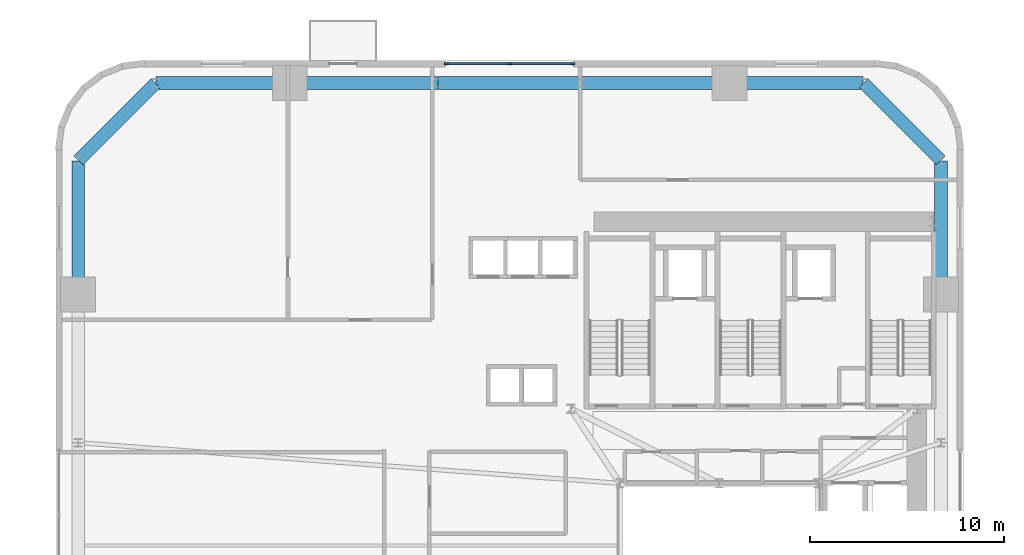
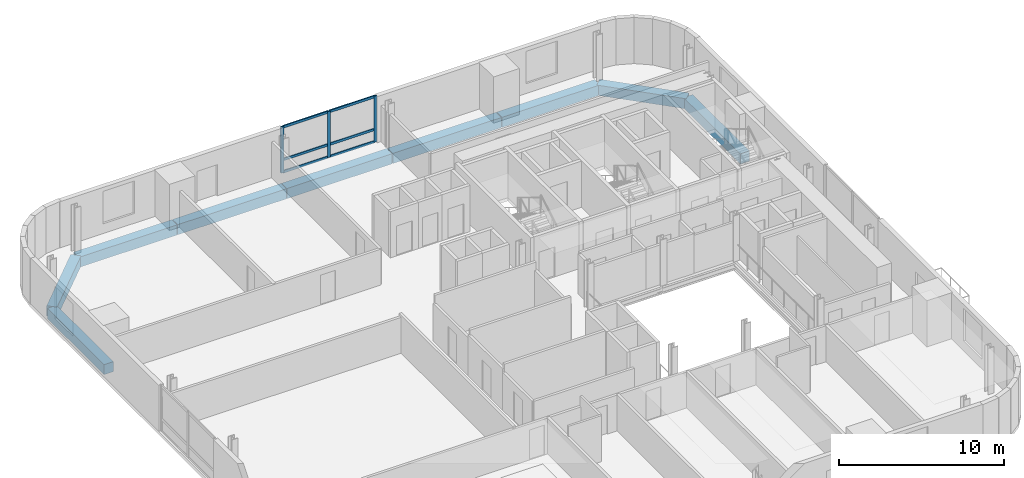
# One storey, part 4 of 13: 9 beams, 9 members, 1 element without a shape of its own.
"""IFC4 building model written with IfcOpenShell, lengths in metres."""

from ifc_helpers import new_model, si_unit, direction, frame, origin, origin_2d, place, context, subcontext, project, spatial, rectangle, extrude, source, transform, mapped, material, material_profile, profile_set, type_object, element, aggregate, save


model = new_model("IFC4")

# Units and contexts
model_context = context("Model", 3, precision=1e-05, world=origin(), true_north=direction((0.0, 1.0)))
body_context = subcontext(model_context, "Body", "Model", "MODEL_VIEW")
ifc_project = project(units=[si_unit("LENGTHUNIT", "METRE"), si_unit("AREAUNIT", "SQUARE_METRE"), si_unit("VOLUMEUNIT", "CUBIC_METRE"), si_unit("PLANEANGLEUNIT", "RADIAN"), si_unit("MASSUNIT", "GRAM", prefix="KILO")], contexts=[model_context])

# Site, building, storey
site_placement = place(None, origin())
site = spatial("IfcSite", under=ifc_project, at=site_placement, CompositionType="ELEMENT")
building_placement = place(site_placement, origin())
building = spatial("IfcBuilding", under=site, at=building_placement, Name="Vardaveli Station Tower", CompositionType="ELEMENT")
storey_placement = place(building_placement, frame((0.0, 0.0, 45.85009765625)))
storey = spatial("IfcBuildingStorey", under=building, at=storey_placement, Name="L11", CompositionType="ELEMENT", Elevation=45.85009765625)

# Beams
ifc_material_1 = material(Name="Precast concrete C45/55", Category="concrete")
ifc_material_profile_1 = material_profile(ifc_material_1, rectangle(XDim=0.64990234375, YDim=0.75, at=origin_2d()), Name="LPB 650x750")
ifc_profile_set_1 = profile_set([ifc_material_profile_1], Name="Precast concrete C45/55")
beam_type = type_object("IfcBeamType", Name="BM-LPB-750", PredefinedType="BEAM", material=ifc_profile_set_1)
shared_shape_1 = source(origin(), body_context, "Body", "SweptSolid", [
    extrude(rectangle(XDim=0.64990234375, YDim=0.75, at=origin_2d()), origin(), (0.0, 0.0, 1.0), 7.60009765625),
])
for number, where, z_axis, x_axis, name in (
    (1, (36.820068359375, 47.449951171875, -0.614990234375), (-1.0, 0.0, 0.0), (0.0, -1.0, 0.0), "RBM-L11-13"),
    (2, (21.780029296875, 47.449951171875, -0.614990234375), (-1.0, 0.0, 0.0), (0.0, -1.0, 0.0), "RBM-L11-15"),
):
    element("IfcBeam", number, at=place(storey_placement, frame(where, z_axis=z_axis, x_axis=x_axis)), inside=storey, type_object=beam_type, Name=name, PredefinedType="BEAM", context=body_context, shape_type="MappedRepresentation", body=[
        mapped(shared_shape_1, transform((0.0, 0.0, 0.0), scale=1.0)),
    ])
shared_shape_2 = source(origin(), body_context, "Body", "SweptSolid", [
    extrude(rectangle(XDim=0.64990234375, YDim=0.75, at=origin_2d()), origin(), (0.0, 0.0, 1.0), 7.35986328125),
])
beam_placement = place(storey_placement, frame((29.179931640625, 47.449951171875, -0.614990234375), z_axis=(-1.0, 0.0, 0.0), x_axis=(0.0, -1.0, 0.0)))
element("IfcBeam", 3, at=beam_placement, inside=storey, type_object=beam_type, Name="RBM-L11-14", PredefinedType="BEAM", context=body_context, shape_type="MappedRepresentation", body=[
    mapped(shared_shape_2, transform((0.0, 0.0, 0.0), scale=1.0)),
])
shared_shape_3 = source(origin(), body_context, "Body", "SweptSolid", [
    extrude(rectangle(XDim=0.64990234375, YDim=0.75, at=origin_2d()), origin(), (0.0, 0.0, 1.0), 6.869873046875),
])
for number, where, z_axis, x_axis, name in (
    (4, (47.75, 36.56005859375, -0.614990234375), (0.0, 1.0, 0.0), (-1.0, 0.0, 0.0), "RBM-L11-10"),
    (5, (43.72998046875, 47.449951171875, -0.614990234375), (-1.0, 0.0, 0.0), (0.0, -1.0, 0.0), "RBM-L11-12"),
    (6, (14.139892578125, 47.449951171875, -0.614990234375), (-1.0, 0.0, 0.0), (0.0, -1.0, 0.0), "RBM-L11-16"),
    (7, (3.25, 43.429931640625, -0.614990234375), (0.0, -1.0, 0.0), (1.0, 0.0, 0.0), "RBM-L11-18"),
):
    element("IfcBeam", number, at=place(storey_placement, frame(where, z_axis=z_axis, x_axis=x_axis)), inside=storey, type_object=beam_type, Name=name, PredefinedType="BEAM", context=body_context, shape_type="MappedRepresentation", body=[
        mapped(shared_shape_3, transform((0.0, 0.0, 0.0), scale=1.0)),
    ])
shared_shape_4 = source(origin(), body_context, "Body", "SweptSolid", [
    extrude(rectangle(XDim=0.64990234375, YDim=0.75, at=origin_2d()), origin(), (0.0, 0.0, 1.0), 5.61669921875),
])
for number, where, z_axis, x_axis, name in (
    (8, (47.73583984375, 43.464111328125, -0.614990234375), (-0.707106781187, 0.707106781187, 0.0), (-0.707106781187, -0.707106781187, 0.0), "RBM-L11-11"),
    (9, (7.23583984375, 47.435791015625, -0.614990234375), (-0.707106781187, -0.707106781187, 0.0), (0.707106781187, -0.707106781187, 0.0), "RBM-L11-17"),
):
    element("IfcBeam", number, at=place(storey_placement, frame(where, z_axis=z_axis, x_axis=x_axis)), inside=storey, type_object=beam_type, Name=name, PredefinedType="BEAM", context=body_context, shape_type="MappedRepresentation", body=[
        mapped(shared_shape_4, transform((0.0, 0.0, 0.0), scale=1.0)),
    ])

# Curtain wall, members
ifc_material_2 = material(Name="Travertine stone and solar-control glass", Category="masonry")
curtain_wall_type = type_object("IfcCurtainWallType", Name="CW-SYS-2", PredefinedType="NOTDEFINED", material=ifc_material_2)
curtain_wall_placement = place(storey_placement, origin())
curtain_wall = element("IfcCurtainWall", 10, at=curtain_wall_placement, inside=storey, type_object=curtain_wall_type, Name="CW-L11-N", PredefinedType="NOTDEFINED")
ifc_material_3 = material(Name="Anodised aluminium alloy 6063-T6", Category="aluminium")
ifc_material_profile_2 = material_profile(ifc_material_3, rectangle(XDim=0.0849609375, YDim=0.219970703125, at=origin_2d()), Name="CWM 85x220")
ifc_profile_set_2 = profile_set([ifc_material_profile_2], Name="Anodised aluminium alloy 6063-T6")
member_type_1 = type_object("IfcMemberType", Name="CW-SYS-2-MULL", PredefinedType="MULLION", material=ifc_profile_set_2)
shared_shape_5 = source(origin(), body_context, "Body", "SweptSolid", [
    extrude(rectangle(XDim=0.0849609375, YDim=0.219970703125, at=origin_2d()), origin(), (0.0, 0.0, 1.0), 3.409912109375),
])
member_1_placement = place(storey_placement, frame((28.757568359375, 48.43994140625, 0.0), z_axis=(0.0, 0.0, 1.0), x_axis=(0.0, -1.0, 0.0)))
member_1 = element("IfcMember", 11, at=member_1_placement, type_object=member_type_1, Name="CW-2 mullion 1", PredefinedType="MULLION", context=body_context, shape_type="MappedRepresentation", body=[
    mapped(shared_shape_5, transform((0.0, 0.0, 0.0), scale=1.0)),
])
member_2_placement = place(storey_placement, frame((25.5, 48.43994140625, 0.0), z_axis=(0.0, 0.0, 1.0), x_axis=(0.0, -1.0, 0.0)))
member_2 = element("IfcMember", 12, at=member_2_placement, type_object=member_type_1, Name="CW-2 mullion 2", PredefinedType="MULLION", context=body_context, shape_type="MappedRepresentation", body=[
    mapped(shared_shape_5, transform((0.0, 0.0, 0.0), scale=1.0)),
])
member_3_placement = place(storey_placement, frame((22.242431640625, 48.43994140625, 0.0), z_axis=(0.0, 0.0, 1.0), x_axis=(0.0, -1.0, 0.0)))
member_3 = element("IfcMember", 13, at=member_3_placement, type_object=member_type_1, Name="CW-2 mullion 3", PredefinedType="MULLION", context=body_context, shape_type="MappedRepresentation", body=[
    mapped(shared_shape_5, transform((0.0, 0.0, 0.0), scale=1.0)),
])
ifc_material_profile_3 = material_profile(ifc_material_3, rectangle(XDim=0.0849609375, YDim=0.179931640625, at=origin_2d()), Name="CWT 85x180")
ifc_profile_set_3 = profile_set([ifc_material_profile_3], Name="Anodised aluminium alloy 6063-T6")
member_type_2 = type_object("IfcMemberType", Name="CW-SYS-2-TRAN", PredefinedType="NOTDEFINED", material=ifc_profile_set_3)
shared_shape_6 = source(origin(), body_context, "Body", "SweptSolid", [
    extrude(rectangle(XDim=0.0849609375, YDim=0.179931640625, at=origin_2d()), origin(), (0.0, 0.0, 1.0), 3.172607421875),
])
member_4_placement = place(storey_placement, frame((28.715087890625, 48.43994140625, 0.04248046875), z_axis=(-1.0, 0.0, 0.0), x_axis=(0.0, -1.0, 0.0)))
member_4 = element("IfcMember", 14, at=member_4_placement, type_object=member_type_2, Name="CW-2 transom 1.1", ObjectType="TRANSOM", PredefinedType="USERDEFINED", context=body_context, shape_type="MappedRepresentation", body=[
    mapped(shared_shape_6, transform((0.0, 0.0, 0.0), scale=1.0)),
])
member_5_placement = place(storey_placement, frame((28.715087890625, 48.43994140625, 0.949951171875), z_axis=(-1.0, 0.0, 0.0), x_axis=(0.0, -1.0, 0.0)))
member_5 = element("IfcMember", 15, at=member_5_placement, type_object=member_type_2, Name="CW-2 transom 1.2", ObjectType="TRANSOM", PredefinedType="USERDEFINED", context=body_context, shape_type="MappedRepresentation", body=[
    mapped(shared_shape_6, transform((0.0, 0.0, 0.0), scale=1.0)),
])
member_6_placement = place(storey_placement, frame((28.715087890625, 48.43994140625, 3.367431640625), z_axis=(-1.0, 0.0, 0.0), x_axis=(0.0, -1.0, 0.0)))
member_6 = element("IfcMember", 16, at=member_6_placement, type_object=member_type_2, Name="CW-2 transom 1.3", ObjectType="TRANSOM", PredefinedType="USERDEFINED", context=body_context, shape_type="MappedRepresentation", body=[
    mapped(shared_shape_6, transform((0.0, 0.0, 0.0), scale=1.0)),
])
member_7_placement = place(storey_placement, frame((25.45751953125, 48.43994140625, 0.04248046875), z_axis=(-1.0, 0.0, 0.0), x_axis=(0.0, -1.0, 0.0)))
member_7 = element("IfcMember", 17, at=member_7_placement, type_object=member_type_2, Name="CW-2 transom 2.1", ObjectType="TRANSOM", PredefinedType="USERDEFINED", context=body_context, shape_type="MappedRepresentation", body=[
    mapped(shared_shape_6, transform((0.0, 0.0, 0.0), scale=1.0)),
])
member_8_placement = place(storey_placement, frame((25.45751953125, 48.43994140625, 0.949951171875), z_axis=(-1.0, 0.0, 0.0), x_axis=(0.0, -1.0, 0.0)))
member_8 = element("IfcMember", 18, at=member_8_placement, type_object=member_type_2, Name="CW-2 transom 2.2", ObjectType="TRANSOM", PredefinedType="USERDEFINED", context=body_context, shape_type="MappedRepresentation", body=[
    mapped(shared_shape_6, transform((0.0, 0.0, 0.0), scale=1.0)),
])
member_9_placement = place(storey_placement, frame((25.45751953125, 48.43994140625, 3.367431640625), z_axis=(-1.0, 0.0, 0.0), x_axis=(0.0, -1.0, 0.0)))
member_9 = element("IfcMember", 19, at=member_9_placement, type_object=member_type_2, Name="CW-2 transom 2.3", ObjectType="TRANSOM", PredefinedType="USERDEFINED", context=body_context, shape_type="MappedRepresentation", body=[
    mapped(shared_shape_6, transform((0.0, 0.0, 0.0), scale=1.0)),
])
aggregate(curtain_wall, [member_1, member_2, member_3, member_4, member_5, member_6, member_7, member_8, member_9])

save(model, "model.ifc")
